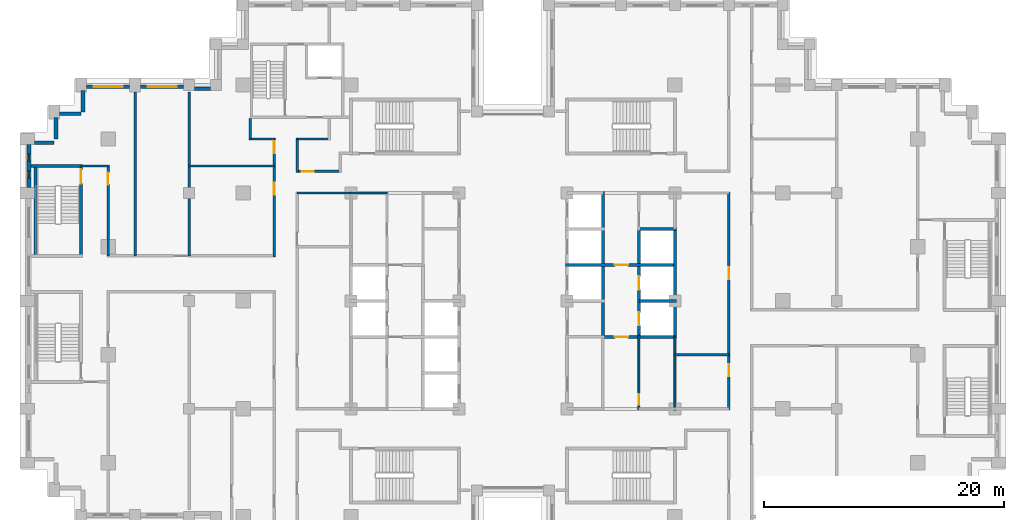
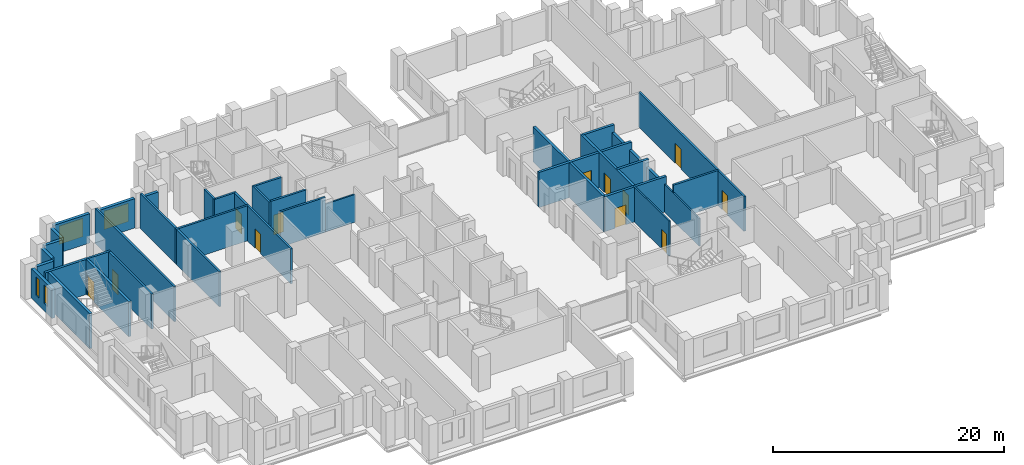
# One storey, part 9 of 15: 35 walls, 12 doors, 4 windows, 16 openings.
"""IFC4 building model written with IfcOpenShell, lengths in metres."""

from ifc_helpers import new_model, si_unit, direction, frame, frame_2d, origin, place, context, subcontext, project, spatial, rectangle, extrude, material, layer, layer_set, type_object, element, fill, save


model = new_model("IFC4")

# Units and contexts
model_context = context("Model", 3, precision=1e-05, world=origin(), true_north=direction((0.0, 1.0)))
body_context = subcontext(model_context, "Body", "Model", "MODEL_VIEW")
ifc_project = project(units=[si_unit("LENGTHUNIT", "METRE"), si_unit("AREAUNIT", "SQUARE_METRE"), si_unit("VOLUMEUNIT", "CUBIC_METRE"), si_unit("PLANEANGLEUNIT", "RADIAN"), si_unit("MASSUNIT", "GRAM", prefix="KILO")], contexts=[model_context])

# Site, building, storey
site_placement = place(None, origin())
site = spatial("IfcSite", under=ifc_project, at=site_placement, CompositionType="ELEMENT")
building_placement = place(site_placement, origin())
building = spatial("IfcBuilding", under=site, at=building_placement, Name="Corbelhall Arena Tower", CompositionType="ELEMENT")
storey_placement = place(building_placement, frame((0.0, 0.0, 100.0)))
storey = spatial("IfcBuildingStorey", under=building, at=storey_placement, Name="L17", CompositionType="ELEMENT", Elevation=100.0)

# Walls
ifc_material_1 = material(Name="Precast concrete C40/50 with granite facing", Category="masonry")
ifc_layer_1 = layer(ifc_material_1, 0.300048828125)
ifc_layer_set_1 = layer_set([ifc_layer_1], Name="EV-IW1 Infill panel 300")
wall_type_1 = type_object("IfcWallType", Name="EV-IW1 Infill panel 300", PredefinedType="SOLIDWALL", material=ifc_layer_set_1)
for number, where, z_axis, x_axis, name in (
    (1, (-35.85009765625, 17.550048828125, 0.0), (0.0, 0.0, 1.0), (0.0, -1.0, 0.0), "Infill panel IW1"),
    (2, (-37.800048828125, 15.60009765625, 0.0), (0.0, 0.0, 1.0), (1.0, 0.0, 0.0), "Infill panel IW1"),
    (3, (-38.10009765625, 15.300048828125, 0.0), (0.0, 0.0, 1.0), (0.0, -1.0, 0.0), "Infill panel IW1"),
):
    element("IfcWall", number, at=place(storey_placement, frame(where, z_axis=z_axis, x_axis=x_axis)), inside=storey, type_object=wall_type_1, Name=name, PredefinedType="SOLIDWALL", context=body_context, shape_type="SweptSolid", body=[
        extrude(rectangle(XDim=1.800048828125, YDim=0.300048828125, at=frame_2d((0.89990234375, 0.0))), origin(), (0.0, 0.0, 1.0), 3.10009765625),
    ])
wall_1_placement = place(storey_placement, frame((-39.89990234375, 13.199951171875, 0.0), z_axis=(0.0, 0.0, 1.0), x_axis=(1.0, 0.0, 0.0)))
element("IfcWall", 4, at=wall_1_placement, inside=storey, type_object=wall_type_1, Name="Infill panel IW1", PredefinedType="SOLIDWALL", context=body_context, shape_type="SweptSolid", body=[
    extrude(rectangle(XDim=1.64990234375, YDim=0.300048828125, at=frame_2d((0.824951171875, 0.0))), origin(), (0.0, 0.0, 1.0), 3.10009765625),
])
wall_2_placement = place(storey_placement, frame((-25.199951171875, 17.699951171875, 0.0), z_axis=(0.0, 0.0, 1.0), x_axis=(-1.0, 0.0, 0.0)))
element("IfcWall", 5, at=wall_2_placement, inside=storey, type_object=wall_type_1, Name="Infill panel IW1", PredefinedType="SOLIDWALL", context=body_context, shape_type="SweptSolid", body=[
    extrude(rectangle(XDim=1.35009765625, YDim=0.300048828125, at=frame_2d((0.675048828125, 0.0))), origin(), (0.0, 0.0, 1.0), 3.10009765625),
])

# Wall, opening, window
wall_3_placement = place(storey_placement, frame((-27.449951171875, 17.85009765625, 0.0), z_axis=(0.0, 0.0, 1.0), x_axis=(-1.0, 0.0, 0.0)))
wall_3 = element("IfcWall", 6, at=wall_3_placement, inside=storey, type_object=wall_type_1, Name="Infill panel IW1", PredefinedType="SOLIDWALL", context=body_context, shape_type="SweptSolid", body=[
    extrude(rectangle(XDim=3.60009765625, YDim=0.300048828125, at=frame_2d((1.800048828125, 0.0))), origin(), (0.0, 0.0, 1.0), 3.10009765625),
])
opening_1_placement = place(wall_3_placement, frame((0.60009765625, 0.0, 0.800048828125)))
opening_1 = element("IfcOpeningElement", 7, at=opening_1_placement, cuts=wall_3, Name="Opening WN1", PredefinedType="OPENING", context=body_context, shape_type="SweptSolid", body=[
    extrude(rectangle(XDim=2.39990234375, YDim=1.949951171875, at=frame_2d((1.199951171875, 0.97509765625))), frame((0.0, 0.14990234375, 0.0), z_axis=(0.0, -1.0, 0.0), x_axis=(1.0, 0.0, 0.0)), (0.0, 0.0, 1.0), 0.300048828125),
])
ifc_material_2 = material(Name="Aluminium black anodised", Category="aluminium")
window_type_1 = type_object("IfcWindowType", Name="EV-WN1 Office window", PartitioningType="SINGLE_PANEL", PredefinedType="WINDOW", material=ifc_material_2)
window_1_placement = place(opening_1_placement, origin())
window_1 = element("IfcWindow", 8, at=window_1_placement, inside=storey, type_object=window_type_1, Name="Window WN1", OverallHeight=1.949951171875, OverallWidth=2.39990234375, PartitioningType="SINGLE_PANEL", PredefinedType="WINDOW", context=body_context, shape_type="SweptSolid", body=[
    extrude(rectangle(XDim=2.39990234375, YDim=1.949951171875, at=frame_2d((1.199951171875, 0.97509765625))), frame((0.0, 0.030029296875, 0.0), z_axis=(0.0, -1.0, 0.0), x_axis=(1.0, 0.0, 0.0)), (0.0, 0.0, 1.0), 0.06005859375),
])
fill(opening_1, window_1)

wall_4_placement = place(storey_placement, frame((-31.949951171875, 17.85009765625, 0.0), z_axis=(0.0, 0.0, 1.0), x_axis=(-1.0, 0.0, 0.0)))
wall_4 = element("IfcWall", 9, at=wall_4_placement, inside=storey, type_object=wall_type_1, Name="Infill panel IW1", PredefinedType="SOLIDWALL", context=body_context, shape_type="SweptSolid", body=[
    extrude(rectangle(XDim=3.60009765625, YDim=0.300048828125, at=frame_2d((1.800048828125, 0.0))), origin(), (0.0, 0.0, 1.0), 3.10009765625),
])
opening_2_placement = place(wall_4_placement, frame((0.60009765625, 0.0, 0.800048828125)))
opening_2 = element("IfcOpeningElement", 10, at=opening_2_placement, cuts=wall_4, Name="Opening WN1", PredefinedType="OPENING", context=body_context, shape_type="SweptSolid", body=[
    extrude(rectangle(XDim=2.39990234375, YDim=1.949951171875, at=frame_2d((1.199951171875, 0.97509765625))), frame((0.0, 0.14990234375, 0.0), z_axis=(0.0, -1.0, 0.0), x_axis=(1.0, 0.0, 0.0)), (0.0, 0.0, 1.0), 0.300048828125),
])
window_2_placement = place(opening_2_placement, origin())
window_2 = element("IfcWindow", 11, at=window_2_placement, inside=storey, type_object=window_type_1, Name="Window WN1", OverallHeight=1.949951171875, OverallWidth=2.39990234375, PartitioningType="SINGLE_PANEL", PredefinedType="WINDOW", context=body_context, shape_type="SweptSolid", body=[
    extrude(rectangle(XDim=2.39990234375, YDim=1.949951171875, at=frame_2d((1.199951171875, 0.97509765625))), frame((0.0, 0.030029296875, 0.0), z_axis=(0.0, -1.0, 0.0), x_axis=(1.0, 0.0, 0.0)), (0.0, 0.0, 1.0), 0.06005859375),
])
fill(opening_2, window_2)

# Wall, openings, windows
wall_5_placement = place(storey_placement, frame((-40.35009765625, 13.050048828125, 0.0), z_axis=(0.0, 0.0, 1.0), x_axis=(0.0, -1.0, 0.0)))
wall_5 = element("IfcWall", 12, at=wall_5_placement, inside=storey, type_object=wall_type_1, Name="Infill panel IW1", PredefinedType="SOLIDWALL", context=body_context, shape_type="SweptSolid", body=[
    extrude(rectangle(XDim=3.60009765625, YDim=0.300048828125, at=frame_2d((1.800048828125, 0.0))), origin(), (0.0, 0.0, 1.0), 3.10009765625),
])
opening_3_placement = place(wall_5_placement, frame((0.78759765625, 0.0, 0.800048828125)))
opening_3 = element("IfcOpeningElement", 13, at=opening_3_placement, cuts=wall_5, Name="Opening WN5", PredefinedType="OPENING", context=body_context, shape_type="SweptSolid", body=[
    extrude(rectangle(XDim=0.60009765625, YDim=1.949951171875, at=frame_2d((0.300048828125, 0.97509765625))), frame((0.0, 0.14990234375, 0.0), z_axis=(0.0, -1.0, 0.0), x_axis=(1.0, 0.0, 0.0)), (0.0, 0.0, 1.0), 0.300048828125),
])
opening_4_placement = place(wall_5_placement, frame((2.21240234375, 0.0, 0.800048828125)))
opening_4 = element("IfcOpeningElement", 14, at=opening_4_placement, cuts=wall_5, Name="Opening WN5", PredefinedType="OPENING", context=body_context, shape_type="SweptSolid", body=[
    extrude(rectangle(XDim=0.60009765625, YDim=1.949951171875, at=frame_2d((0.300048828125, 0.97509765625))), frame((0.0, 0.14990234375, 0.0), z_axis=(0.0, -1.0, 0.0), x_axis=(1.0, 0.0, 0.0)), (0.0, 0.0, 1.0), 0.300048828125),
])
window_type_2 = type_object("IfcWindowType", Name="EV-WN5 Office window 600", PartitioningType="SINGLE_PANEL", PredefinedType="WINDOW", material=ifc_material_2)
window_3_placement = place(opening_3_placement, origin())
window_3 = element("IfcWindow", 15, at=window_3_placement, inside=storey, type_object=window_type_2, Name="Window WN5", OverallHeight=1.949951171875, OverallWidth=0.60009765625, PartitioningType="SINGLE_PANEL", PredefinedType="WINDOW", context=body_context, shape_type="SweptSolid", body=[
    extrude(rectangle(XDim=0.60009765625, YDim=1.949951171875, at=frame_2d((0.300048828125, 0.97509765625))), frame((0.0, 0.030029296875, 0.0), z_axis=(0.0, -1.0, 0.0), x_axis=(1.0, 0.0, 0.0)), (0.0, 0.0, 1.0), 0.06005859375),
])
fill(opening_3, window_3)
window_4_placement = place(opening_4_placement, origin())
window_4 = element("IfcWindow", 16, at=window_4_placement, inside=storey, type_object=window_type_2, Name="Window WN5", OverallHeight=1.949951171875, OverallWidth=0.60009765625, PartitioningType="SINGLE_PANEL", PredefinedType="WINDOW", context=body_context, shape_type="SweptSolid", body=[
    extrude(rectangle(XDim=0.60009765625, YDim=1.949951171875, at=frame_2d((0.300048828125, 0.97509765625))), frame((0.0, 0.030029296875, 0.0), z_axis=(0.0, -1.0, 0.0), x_axis=(1.0, 0.0, 0.0)), (0.0, 0.0, 1.0), 0.06005859375),
])
fill(opening_4, window_4)

# Wall
ifc_material_3 = material(Name="Gypsum board on steel stud, acoustic", Category="steel")
ifc_layer_2 = layer(ifc_material_3, 0.199951171875)
ifc_layer_set_2 = layer_set([ifc_layer_2], Name="IN-W-DM200")
wall_type_2 = type_object("IfcWallType", Name="IN-W-DM200", PredefinedType="PARTITIONING", material=ifc_layer_set_2)
wall_6_placement = place(storey_placement, frame((-36.0, 11.25, 0.0), z_axis=(0.0, 0.0, 1.0), x_axis=(1.0, 0.0, 0.0)))
element("IfcWall", 17, at=wall_6_placement, inside=storey, type_object=wall_type_2, Name="Partition 001", PredefinedType="PARTITIONING", context=body_context, shape_type="SweptSolid", body=[
    extrude(rectangle(XDim=2.35009765625, YDim=0.199951171875, at=frame_2d((1.175048828125, 0.0))), origin(), (0.0, 0.0, 1.0), 3.699951171875),
])

# Wall, opening, door
wall_7_placement = place(storey_placement, frame((-33.75, 11.25, 0.0), z_axis=(0.0, 0.0, 1.0), x_axis=(0.0, -1.0, 0.0)))
wall_7 = element("IfcWall", 18, at=wall_7_placement, inside=storey, type_object=wall_type_2, Name="Partition 004", PredefinedType="PARTITIONING", context=body_context, shape_type="SweptSolid", body=[
    extrude(rectangle(XDim=7.5, YDim=0.199951171875, at=frame_2d((3.75, 0.0))), origin(), (0.0, 0.0, 1.0), 3.699951171875),
])
opening_5_placement = place(wall_7_placement, frame((0.550048828125, 0.0, 0.0)))
opening_5 = element("IfcOpeningElement", 19, at=opening_5_placement, cuts=wall_7, Name="Opening 03041", PredefinedType="OPENING", context=body_context, shape_type="SweptSolid", body=[
    extrude(rectangle(XDim=1.0, YDim=2.10009765625, at=frame_2d((0.5, 1.050048828125))), frame((0.0, 0.10009765625, 0.0), z_axis=(0.0, -1.0, 0.0), x_axis=(1.0, 0.0, 0.0)), (0.0, 0.0, 1.0), 0.199951171875),
])
ifc_material_4 = material(Name="Steel door set", Category="steel")
door_type_1 = type_object("IfcDoorType", Name="IN-D-SW100", OperationType="NOTDEFINED", PredefinedType="DOOR", material=ifc_material_4)
door_1_placement = place(opening_5_placement, origin())
door_1 = element("IfcDoor", 20, at=door_1_placement, inside=storey, type_object=door_type_1, Name="Door 041", OperationType="SINGLE_SWING_RIGHT", OverallHeight=2.10009765625, OverallWidth=1.0, PredefinedType="DOOR", context=body_context, shape_type="SweptSolid", body=[
    extrude(rectangle(XDim=1.0, YDim=2.10009765625, at=frame_2d((0.5, 1.050048828125))), frame((0.0, 0.02490234375, 0.0), z_axis=(0.0, -1.0, 0.0), x_axis=(1.0, 0.0, 0.0)), (0.0, 0.0, 1.0), 0.050048828125),
])
fill(opening_5, door_1)

# Walls
wall_8_placement = place(storey_placement, frame((-31.5, 17.39990234375, 0.0), z_axis=(0.0, 0.0, 1.0), x_axis=(0.0, -1.0, 0.0)))
element("IfcWall", 21, at=wall_8_placement, inside=storey, type_object=wall_type_2, Name="Partition 006", PredefinedType="PARTITIONING", context=body_context, shape_type="SweptSolid", body=[
    extrude(rectangle(XDim=13.64990234375, YDim=0.199951171875, at=frame_2d((6.824951171875, 0.0))), origin(), (0.0, 0.0, 1.0), 3.699951171875),
])
wall_9_placement = place(storey_placement, frame((-27.10009765625, 11.25, 0.0), z_axis=(0.0, 0.0, 1.0), x_axis=(1.0, 0.0, 0.0)))
element("IfcWall", 22, at=wall_9_placement, inside=storey, type_object=wall_type_2, Name="Partition 008", PredefinedType="PARTITIONING", context=body_context, shape_type="SweptSolid", body=[
    extrude(rectangle(XDim=7.2001953125, YDim=0.199951171875, at=frame_2d((3.60009765625, 0.0))), origin(), (0.0, 0.0, 1.0), 3.699951171875),
])
wall_10_placement = place(storey_placement, frame((-27.0, 3.75, 0.0), z_axis=(0.0, 0.0, 1.0), x_axis=(0.0, 1.0, 0.0)))
element("IfcWall", 23, at=wall_10_placement, inside=storey, type_object=wall_type_2, Name="Partition 010", PredefinedType="PARTITIONING", context=body_context, shape_type="SweptSolid", body=[
    extrude(rectangle(XDim=13.64990234375, YDim=0.199951171875, at=frame_2d((6.824951171875, 0.0))), origin(), (0.0, 0.0, 1.0), 3.699951171875),
])
wall_11_placement = place(storey_placement, frame((-21.89990234375, 13.5, 0.0), z_axis=(0.0, 0.0, 1.0), x_axis=(0.0, 1.0, 0.0)))
element("IfcWall", 24, at=wall_11_placement, inside=storey, type_object=wall_type_2, Name="Partition 013", PredefinedType="PARTITIONING", context=body_context, shape_type="SweptSolid", body=[
    extrude(rectangle(XDim=1.699951171875, YDim=0.199951171875, at=frame_2d((0.85009765625, 0.0))), origin(), (0.0, 0.0, 1.0), 3.699951171875),
])

# Wall, openings, doors
wall_12_placement = place(storey_placement, frame((-19.89990234375, 3.64990234375, 0.0), z_axis=(0.0, 0.0, 1.0), x_axis=(0.0, 1.0, 0.0)))
wall_12 = element("IfcWall", 25, at=wall_12_placement, inside=storey, type_object=wall_type_2, Name="Partition 015", PredefinedType="PARTITIONING", context=body_context, shape_type="SweptSolid", body=[
    extrude(rectangle(XDim=9.9501953125, YDim=0.199951171875, at=frame_2d((4.97509765625, 0.0))), origin(), (0.0, 0.0, 1.0), 3.699951171875),
])
opening_6_placement = place(wall_12_placement, frame((5.199951171875, 0.0, 0.0)))
opening_6 = element("IfcOpeningElement", 26, at=opening_6_placement, cuts=wall_12, Name="Opening 03029", PredefinedType="OPENING", context=body_context, shape_type="SweptSolid", body=[
    extrude(rectangle(XDim=1.0, YDim=2.10009765625, at=frame_2d((0.5, 1.050048828125))), frame((0.0, 0.10009765625, 0.0), z_axis=(0.0, -1.0, 0.0), x_axis=(1.0, 0.0, 0.0)), (0.0, 0.0, 1.0), 0.199951171875),
])
opening_7_placement = place(wall_12_placement, frame((8.64990234375, 0.0, 0.0)))
opening_7 = element("IfcOpeningElement", 27, at=opening_7_placement, cuts=wall_12, Name="Opening 03030", PredefinedType="OPENING", context=body_context, shape_type="SweptSolid", body=[
    extrude(rectangle(XDim=1.0, YDim=2.10009765625, at=frame_2d((0.5, 1.050048828125))), frame((0.0, 0.10009765625, 0.0), z_axis=(0.0, -1.0, 0.0), x_axis=(1.0, 0.0, 0.0)), (0.0, 0.0, 1.0), 0.199951171875),
])
door_2_placement = place(opening_6_placement, origin())
door_2 = element("IfcDoor", 28, at=door_2_placement, inside=storey, type_object=door_type_1, Name="Door 029", OperationType="SINGLE_SWING_RIGHT", OverallHeight=2.10009765625, OverallWidth=1.0, PredefinedType="DOOR", context=body_context, shape_type="SweptSolid", body=[
    extrude(rectangle(XDim=1.0, YDim=2.10009765625, at=frame_2d((0.5, 1.050048828125))), frame((0.0, 0.02490234375, 0.0), z_axis=(0.0, -1.0, 0.0), x_axis=(1.0, 0.0, 0.0)), (0.0, 0.0, 1.0), 0.050048828125),
])
fill(opening_6, door_2)
door_3_placement = place(opening_7_placement, origin())
door_3 = element("IfcDoor", 29, at=door_3_placement, inside=storey, type_object=door_type_1, Name="Door 030", OperationType="SINGLE_SWING_LEFT", OverallHeight=2.10009765625, OverallWidth=1.0, PredefinedType="DOOR", context=body_context, shape_type="SweptSolid", body=[
    extrude(rectangle(XDim=1.0, YDim=2.10009765625, at=frame_2d((0.5, 1.050048828125))), frame((0.0, 0.02490234375, 0.0), z_axis=(0.0, -1.0, 0.0), x_axis=(1.0, 0.0, 0.0)), (0.0, 0.0, 1.0), 0.050048828125),
])
fill(opening_7, door_3)

# Wall
wall_13_placement = place(storey_placement, frame((-19.89990234375, 13.5, 0.0), z_axis=(0.0, 0.0, 1.0), x_axis=(-1.0, 0.0, 0.0)))
element("IfcWall", 30, at=wall_13_placement, inside=storey, type_object=wall_type_2, Name="Partition 016", PredefinedType="PARTITIONING", context=body_context, shape_type="SweptSolid", body=[
    extrude(rectangle(XDim=2.10009765625, YDim=0.199951171875, at=frame_2d((1.050048828125, 0.0))), origin(), (0.0, 0.0, 1.0), 3.699951171875),
])

# Wall, opening, door
wall_14_placement = place(storey_placement, frame((-18.0, 10.800048828125, 0.0), z_axis=(0.0, 0.0, 1.0), x_axis=(1.0, 0.0, 0.0)))
wall_14 = element("IfcWall", 31, at=wall_14_placement, inside=storey, type_object=wall_type_2, Name="Partition 021", PredefinedType="PARTITIONING", context=body_context, shape_type="SweptSolid", body=[
    extrude(rectangle(XDim=3.60009765625, YDim=0.199951171875, at=frame_2d((1.800048828125, 0.0))), origin(), (0.0, 0.0, 1.0), 3.699951171875),
])
opening_8_placement = place(wall_14_placement, frame((0.39990234375, 0.0, 0.0)))
opening_8 = element("IfcOpeningElement", 32, at=opening_8_placement, cuts=wall_14, Name="Opening 03025", PredefinedType="OPENING", context=body_context, shape_type="SweptSolid", body=[
    extrude(rectangle(XDim=1.0, YDim=2.10009765625, at=frame_2d((0.5, 1.050048828125))), frame((0.0, 0.10009765625, 0.0), z_axis=(0.0, -1.0, 0.0), x_axis=(1.0, 0.0, 0.0)), (0.0, 0.0, 1.0), 0.199951171875),
])
door_4_placement = place(opening_8_placement, origin())
door_4 = element("IfcDoor", 33, at=door_4_placement, inside=storey, type_object=door_type_1, Name="Door 025", OperationType="SINGLE_SWING_RIGHT", OverallHeight=2.10009765625, OverallWidth=1.0, PredefinedType="DOOR", context=body_context, shape_type="SweptSolid", body=[
    extrude(rectangle(XDim=1.0, YDim=2.10009765625, at=frame_2d((0.5, 1.050048828125))), frame((0.0, 0.02490234375, 0.0), z_axis=(0.0, -1.0, 0.0), x_axis=(1.0, 0.0, 0.0)), (0.0, 0.0, 1.0), 0.050048828125),
])
fill(opening_8, door_4)

# Walls
wall_15_placement = place(storey_placement, frame((-18.0, 13.60009765625, 0.0), z_axis=(0.0, 0.0, 1.0), x_axis=(0.0, -1.0, 0.0)))
element("IfcWall", 34, at=wall_15_placement, inside=storey, type_object=wall_type_2, Name="Partition 022", PredefinedType="PARTITIONING", context=body_context, shape_type="SweptSolid", body=[
    extrude(rectangle(XDim=2.900146484375, YDim=0.199951171875, at=frame_2d((1.4501953125, 0.0))), origin(), (0.0, 0.0, 1.0), 3.699951171875),
])
wall_16_placement = place(storey_placement, frame((-15.300048828125, 13.5, 0.0), z_axis=(0.0, 0.0, 1.0), x_axis=(-1.0, 0.0, 0.0)))
element("IfcWall", 35, at=wall_16_placement, inside=storey, type_object=wall_type_2, Name="Partition 023", PredefinedType="PARTITIONING", context=body_context, shape_type="SweptSolid", body=[
    extrude(rectangle(XDim=2.699951171875, YDim=0.199951171875, at=frame_2d((1.35009765625, 0.0))), origin(), (0.0, 0.0, 1.0), 3.699951171875),
])
for number, where, z_axis, x_axis, name in (
    (36, (-13.5, 9.0, 0.0), (0.0, 0.0, 1.0), (-1.0, 0.0, 0.0), "Partition 029"),
    (37, (13.5, -4.5, 0.0), (0.0, 0.0, 1.0), (1.0, 0.0, 0.0), "Partition 038"),
):
    element("IfcWall", number, at=place(storey_placement, frame(where, z_axis=z_axis, x_axis=x_axis)), inside=storey, type_object=wall_type_2, Name=name, PredefinedType="PARTITIONING", context=body_context, shape_type="SweptSolid", body=[
        extrude(rectangle(XDim=4.5, YDim=0.199951171875, at=frame_2d((2.25, 0.0))), origin(), (0.0, 0.0, 1.0), 3.699951171875),
    ])

# Wall, openings, doors
wall_17_placement = place(storey_placement, frame((18.0, -9.10009765625, 0.0), z_axis=(0.0, 0.0, 1.0), x_axis=(0.0, 1.0, 0.0)))
wall_17 = element("IfcWall", 38, at=wall_17_placement, inside=storey, type_object=wall_type_2, Name="Partition 046", PredefinedType="PARTITIONING", context=body_context, shape_type="SweptSolid", body=[
    extrude(rectangle(XDim=18.2001953125, YDim=0.199951171875, at=frame_2d((9.10009765625, 0.0))), origin(), (0.0, 0.0, 1.0), 3.699951171875),
])
opening_9_placement = place(wall_17_placement, frame((2.800048828125, 0.0, 0.0)))
opening_9 = element("IfcOpeningElement", 39, at=opening_9_placement, cuts=wall_17, Name="Opening 03023", PredefinedType="OPENING", context=body_context, shape_type="SweptSolid", body=[
    extrude(rectangle(XDim=1.0, YDim=2.10009765625, at=frame_2d((0.5, 1.050048828125))), frame((0.0, 0.10009765625, 0.0), z_axis=(0.0, -1.0, 0.0), x_axis=(1.0, 0.0, 0.0)), (0.0, 0.0, 1.0), 0.199951171875),
])
opening_10_placement = place(wall_17_placement, frame((10.89990234375, 0.0, 0.0)))
opening_10 = element("IfcOpeningElement", 40, at=opening_10_placement, cuts=wall_17, Name="Opening 03024", PredefinedType="OPENING", context=body_context, shape_type="SweptSolid", body=[
    extrude(rectangle(XDim=1.0, YDim=2.10009765625, at=frame_2d((0.5, 1.050048828125))), frame((0.0, 0.10009765625, 0.0), z_axis=(0.0, -1.0, 0.0), x_axis=(1.0, 0.0, 0.0)), (0.0, 0.0, 1.0), 0.199951171875),
])
door_5_placement = place(opening_9_placement, origin())
door_5 = element("IfcDoor", 41, at=door_5_placement, inside=storey, type_object=door_type_1, Name="Door 023", OperationType="SINGLE_SWING_RIGHT", OverallHeight=2.10009765625, OverallWidth=1.0, PredefinedType="DOOR", context=body_context, shape_type="SweptSolid", body=[
    extrude(rectangle(XDim=1.0, YDim=2.10009765625, at=frame_2d((0.5, 1.050048828125))), frame((0.0, 0.02490234375, 0.0), z_axis=(0.0, -1.0, 0.0), x_axis=(1.0, 0.0, 0.0)), (0.0, 0.0, 1.0), 0.050048828125),
])
fill(opening_9, door_5)
door_6_placement = place(opening_10_placement, origin())
door_6 = element("IfcDoor", 42, at=door_6_placement, inside=storey, type_object=door_type_1, Name="Door 024", OperationType="SINGLE_SWING_LEFT", OverallHeight=2.10009765625, OverallWidth=1.0, PredefinedType="DOOR", context=body_context, shape_type="SweptSolid", body=[
    extrude(rectangle(XDim=1.0, YDim=2.10009765625, at=frame_2d((0.5, 1.050048828125))), frame((0.0, 0.02490234375, 0.0), z_axis=(0.0, -1.0, 0.0), x_axis=(1.0, 0.0, 0.0)), (0.0, 0.0, 1.0), 0.050048828125),
])
fill(opening_10, door_6)

# Wall, opening, door
ifc_material_5 = material(Name="Concrete C40/50", Category="concrete")
ifc_layer_3 = layer(ifc_material_5, 0.25)
ifc_layer_set_3 = layer_set([ifc_layer_3], Name="IN-W-SH250")
wall_type_3 = type_object("IfcWallType", Name="IN-W-SH250", PredefinedType="SOLIDWALL", material=ifc_layer_set_3)
wall_18_placement = place(storey_placement, frame((4.375, 3.0, 0.0), z_axis=(0.0, 0.0, 1.0), x_axis=(1.0, 0.0, 0.0)))
wall_18 = element("IfcWall", 43, at=wall_18_placement, inside=storey, type_object=wall_type_3, Name="Shaft wall 085", PredefinedType="SOLIDWALL", context=body_context, shape_type="SweptSolid", body=[
    extrude(rectangle(XDim=9.25, YDim=0.25, at=frame_2d((4.625, 0.0))), origin(), (0.0, 0.0, 1.0), 3.699951171875),
])
opening_11_placement = place(wall_18_placement, frame((4.125, 0.0, 0.0)))
opening_11 = element("IfcOpeningElement", 44, at=opening_11_placement, cuts=wall_18, Name="Opening 03010", PredefinedType="OPENING", context=body_context, shape_type="SweptSolid", body=[
    extrude(rectangle(XDim=1.10009765625, YDim=2.10009765625, at=frame_2d((0.550048828125, 1.050048828125))), frame((0.0, 0.125, 0.0), z_axis=(0.0, -1.0, 0.0), x_axis=(1.0, 0.0, 0.0)), (0.0, 0.0, 1.0), 0.25),
])
door_type_2 = type_object("IfcDoorType", Name="IN-D-FD110", OperationType="NOTDEFINED", PredefinedType="DOOR", material=ifc_material_4)
door_7_placement = place(opening_11_placement, origin())
door_7 = element("IfcDoor", 45, at=door_7_placement, inside=storey, type_object=door_type_2, Name="Door 010", OperationType="SINGLE_SWING_LEFT", OverallHeight=2.10009765625, OverallWidth=1.10009765625, PredefinedType="DOOR", context=body_context, shape_type="SweptSolid", body=[
    extrude(rectangle(XDim=1.10009765625, YDim=2.10009765625, at=frame_2d((0.550048828125, 1.050048828125))), frame((0.0, 0.02490234375, 0.0), z_axis=(0.0, -1.0, 0.0), x_axis=(1.0, 0.0, 0.0)), (0.0, 0.0, 1.0), 0.050048828125),
])
fill(opening_11, door_7)

wall_19_placement = place(storey_placement, frame((7.5, -3.0, 0.0), z_axis=(0.0, 0.0, 1.0), x_axis=(1.0, 0.0, 0.0)))
wall_19 = element("IfcWall", 46, at=wall_19_placement, inside=storey, type_object=wall_type_3, Name="Shaft wall 089", PredefinedType="SOLIDWALL", context=body_context, shape_type="SweptSolid", body=[
    extrude(rectangle(XDim=6.125, YDim=0.25, at=frame_2d((3.0625, 0.0))), origin(), (0.0, 0.0, 1.0), 3.699951171875),
])
opening_12_placement = place(wall_19_placement, frame((1.0, 0.0, 0.0)))
opening_12 = element("IfcOpeningElement", 47, at=opening_12_placement, cuts=wall_19, Name="Opening 03009", PredefinedType="OPENING", context=body_context, shape_type="SweptSolid", body=[
    extrude(rectangle(XDim=1.10009765625, YDim=2.10009765625, at=frame_2d((0.550048828125, 1.050048828125))), frame((0.0, 0.125, 0.0), z_axis=(0.0, -1.0, 0.0), x_axis=(1.0, 0.0, 0.0)), (0.0, 0.0, 1.0), 0.25),
])
door_8_placement = place(opening_12_placement, origin())
door_8 = element("IfcDoor", 48, at=door_8_placement, inside=storey, type_object=door_type_2, Name="Door 009", OperationType="SINGLE_SWING_RIGHT", OverallHeight=2.10009765625, OverallWidth=1.10009765625, PredefinedType="DOOR", context=body_context, shape_type="SweptSolid", body=[
    extrude(rectangle(XDim=1.10009765625, YDim=2.10009765625, at=frame_2d((0.550048828125, 1.050048828125))), frame((0.0, 0.02490234375, 0.0), z_axis=(0.0, -1.0, 0.0), x_axis=(1.0, 0.0, 0.0)), (0.0, 0.0, 1.0), 0.050048828125),
])
fill(opening_12, door_8)

# Walls
wall_20_placement = place(storey_placement, frame((7.5, 9.125, 0.0), z_axis=(0.0, 0.0, 1.0), x_axis=(0.0, -1.0, 0.0)))
element("IfcWall", 49, at=wall_20_placement, inside=storey, type_object=wall_type_3, Name="Shaft wall 090", PredefinedType="SOLIDWALL", context=body_context, shape_type="SweptSolid", body=[
    extrude(rectangle(XDim=12.25, YDim=0.25, at=frame_2d((6.125, 0.0))), origin(), (0.0, 0.0, 1.0), 3.699951171875),
])
wall_21_placement = place(storey_placement, frame((10.5, 0.0, 0.0), z_axis=(0.0, 0.0, 1.0), x_axis=(1.0, 0.0, 0.0)))
element("IfcWall", 50, at=wall_21_placement, inside=storey, type_object=wall_type_3, Name="Shaft wall 091", PredefinedType="SOLIDWALL", context=body_context, shape_type="SweptSolid", body=[
    extrude(rectangle(XDim=3.125, YDim=0.25, at=frame_2d((1.5625, 0.0))), origin(), (0.0, 0.0, 1.0), 3.699951171875),
])

# Wall, openings, doors
wall_22_placement = place(storey_placement, frame((10.5, 6.125, 0.0), z_axis=(0.0, 0.0, 1.0), x_axis=(0.0, -1.0, 0.0)))
wall_22 = element("IfcWall", 51, at=wall_22_placement, inside=storey, type_object=wall_type_3, Name="Shaft wall 092", PredefinedType="SOLIDWALL", context=body_context, shape_type="SweptSolid", body=[
    extrude(rectangle(XDim=9.25, YDim=0.25, at=frame_2d((4.625, 0.0))), origin(), (0.0, 0.0, 1.0), 3.699951171875),
])
opening_13_placement = place(wall_22_placement, frame((7.074951171875, 0.0, 0.0)))
opening_13 = element("IfcOpeningElement", 52, at=opening_13_placement, cuts=wall_22, Name="Opening LD", PredefinedType="OPENING", context=body_context, shape_type="SweptSolid", body=[
    extrude(rectangle(XDim=1.10009765625, YDim=2.10009765625, at=frame_2d((0.550048828125, 1.050048828125))), frame((0.0, 0.125, 0.0), z_axis=(0.0, -1.0, 0.0), x_axis=(1.0, 0.0, 0.0)), (0.0, 0.0, 1.0), 0.25),
])
opening_14_placement = place(wall_22_placement, frame((4.074951171875, 0.0, 0.0)))
opening_14 = element("IfcOpeningElement", 53, at=opening_14_placement, cuts=wall_22, Name="Opening LD", PredefinedType="OPENING", context=body_context, shape_type="SweptSolid", body=[
    extrude(rectangle(XDim=1.10009765625, YDim=2.10009765625, at=frame_2d((0.550048828125, 1.050048828125))), frame((0.0, 0.125, 0.0), z_axis=(0.0, -1.0, 0.0), x_axis=(1.0, 0.0, 0.0)), (0.0, 0.0, 1.0), 0.25),
])
door_type_3 = type_object("IfcDoorType", Name="IN-D-LD110", OperationType="NOTDEFINED", PredefinedType="DOOR", material=ifc_material_4)
door_9_placement = place(opening_13_placement, origin())
door_9 = element("IfcDoor", 54, at=door_9_placement, inside=storey, type_object=door_type_3, Name="Landing door E3", OperationType="SLIDING_TO_LEFT", OverallHeight=2.10009765625, OverallWidth=1.10009765625, PredefinedType="DOOR", context=body_context, shape_type="SweptSolid", body=[
    extrude(rectangle(XDim=1.10009765625, YDim=2.10009765625, at=frame_2d((0.550048828125, 1.050048828125))), frame((0.0, 0.02490234375, 0.0), z_axis=(0.0, -1.0, 0.0), x_axis=(1.0, 0.0, 0.0)), (0.0, 0.0, 1.0), 0.050048828125),
])
fill(opening_13, door_9)
door_10_placement = place(opening_14_placement, origin())
door_10 = element("IfcDoor", 55, at=door_10_placement, inside=storey, type_object=door_type_3, Name="Landing door E4", OperationType="SLIDING_TO_LEFT", OverallHeight=2.10009765625, OverallWidth=1.10009765625, PredefinedType="DOOR", context=body_context, shape_type="SweptSolid", body=[
    extrude(rectangle(XDim=1.10009765625, YDim=2.10009765625, at=frame_2d((0.550048828125, 1.050048828125))), frame((0.0, 0.02490234375, 0.0), z_axis=(0.0, -1.0, 0.0), x_axis=(1.0, 0.0, 0.0)), (0.0, 0.0, 1.0), 0.050048828125),
])
fill(opening_14, door_10)

# Walls
wall_23_placement = place(storey_placement, frame((10.5, 6.0, 0.0), z_axis=(0.0, 0.0, 1.0), x_axis=(1.0, 0.0, 0.0)))
element("IfcWall", 56, at=wall_23_placement, inside=storey, type_object=wall_type_3, Name="Shaft wall 093", PredefinedType="SOLIDWALL", context=body_context, shape_type="SweptSolid", body=[
    extrude(rectangle(XDim=3.125, YDim=0.25, at=frame_2d((1.5625, 0.0))), origin(), (0.0, 0.0, 1.0), 3.699951171875),
])
ifc_layer_4 = layer(ifc_material_5, 0.25)
ifc_layer_set_4 = layer_set([ifc_layer_4], Name="IN-W-SH250 under beam 762 mm")
wall_type_4 = type_object("IfcWallType", Name="IN-W-SH250 under beam 762 mm", PredefinedType="SOLIDWALL", material=ifc_layer_set_4)
wall_24_placement = place(storey_placement, frame((13.5, 6.0, 0.0), z_axis=(0.0, 0.0, 1.0), x_axis=(0.0, -1.0, 0.0)))
element("IfcWall", 57, at=wall_24_placement, inside=storey, type_object=wall_type_4, Name="Shaft wall 094", PredefinedType="SOLIDWALL", context=body_context, shape_type="SweptSolid", body=[
    extrude(rectangle(XDim=9.0, YDim=0.25, at=frame_2d((4.5, 0.0))), origin(), (0.0, 0.0, 1.0), 2.93798828125),
])
ifc_layer_5 = layer(ifc_material_5, 0.25)
ifc_layer_set_5 = layer_set([ifc_layer_5], Name="IN-W-ST250")
wall_type_5 = type_object("IfcWallType", Name="IN-W-ST250", PredefinedType="SOLIDWALL", material=ifc_layer_set_5)
wall_25_placement = place(storey_placement, frame((-40.199951171875, 11.25, 0.0), z_axis=(0.0, 0.0, 1.0), x_axis=(1.0, 0.0, 0.0)))
element("IfcWall", 58, at=wall_25_placement, inside=storey, type_object=wall_type_5, Name="Shaft wall 096", PredefinedType="SOLIDWALL", context=body_context, shape_type="SweptSolid", body=[
    extrude(rectangle(XDim=4.199951171875, YDim=0.25, at=frame_2d((2.10009765625, 0.0))), origin(), (0.0, 0.0, 1.0), 3.699951171875),
])

# Wall, opening, door
wall_26_placement = place(storey_placement, frame((-36.0, 11.375, 0.0), z_axis=(0.0, 0.0, 1.0), x_axis=(0.0, -1.0, 0.0)))
wall_26 = element("IfcWall", 59, at=wall_26_placement, inside=storey, type_object=wall_type_5, Name="Shaft wall 099", PredefinedType="SOLIDWALL", context=body_context, shape_type="SweptSolid", body=[
    extrude(rectangle(XDim=7.625, YDim=0.25, at=frame_2d((3.8125, 0.0))), origin(), (0.0, 0.0, 1.0), 3.699951171875),
])
opening_15_placement = place(wall_26_placement, frame((0.39990234375, 0.0, 0.0)))
opening_15 = element("IfcOpeningElement", 60, at=opening_15_placement, cuts=wall_26, Name="Opening 03017", PredefinedType="OPENING", context=body_context, shape_type="SweptSolid", body=[
    extrude(rectangle(XDim=1.199951171875, YDim=2.10009765625, at=frame_2d((0.60009765625, 1.050048828125))), frame((0.0, 0.125, 0.0), z_axis=(0.0, -1.0, 0.0), x_axis=(1.0, 0.0, 0.0)), (0.0, 0.0, 1.0), 0.25),
])
door_type_4 = type_object("IfcDoorType", Name="IN-D-ST120", OperationType="NOTDEFINED", PredefinedType="DOOR", material=ifc_material_4)
door_11_placement = place(opening_15_placement, origin())
door_11 = element("IfcDoor", 61, at=door_11_placement, inside=storey, type_object=door_type_4, Name="Door 017", OperationType="SINGLE_SWING_RIGHT", OverallHeight=2.10009765625, OverallWidth=1.199951171875, PredefinedType="DOOR", context=body_context, shape_type="SweptSolid", body=[
    extrude(rectangle(XDim=1.199951171875, YDim=2.10009765625, at=frame_2d((0.60009765625, 1.050048828125))), frame((0.0, 0.02490234375, 0.0), z_axis=(0.0, -1.0, 0.0), x_axis=(1.0, 0.0, 0.0)), (0.0, 0.0, 1.0), 0.050048828125),
])
fill(opening_15, door_11)

# Wall
wall_27_placement = place(storey_placement, frame((-39.824951171875, 3.875, 0.0), z_axis=(0.0, 0.0, 1.0), x_axis=(0.0, 1.0, 0.0)))
element("IfcWall", 62, at=wall_27_placement, inside=storey, type_object=wall_type_5, Name="Shaft wall SC1 facade side", PredefinedType="SOLIDWALL", context=body_context, shape_type="SweptSolid", body=[
    extrude(rectangle(XDim=7.25, YDim=0.25, at=frame_2d((3.625, 0.0))), origin(), (0.0, 0.0, 1.0), 3.699951171875),
])

# Wall, opening, door
ifc_material_6 = material(Name="Gypsum board on steel stud, moisture resistant", Category="steel")
ifc_layer_6 = layer(ifc_material_6, 0.14990234375)
ifc_layer_set_6 = layer_set([ifc_layer_6], Name="IN-W-WC150")
wall_type_6 = type_object("IfcWallType", Name="IN-W-WC150", PredefinedType="PARTITIONING", material=ifc_layer_set_6)
wall_28_placement = place(storey_placement, frame((10.5, -2.875, 0.0), z_axis=(0.0, 0.0, 1.0), x_axis=(0.0, -1.0, 0.0)))
wall_28 = element("IfcWall", 63, at=wall_28_placement, inside=storey, type_object=wall_type_6, Name="Partition 129", PredefinedType="PARTITIONING", context=body_context, shape_type="SweptSolid", body=[
    extrude(rectangle(XDim=6.199951171875, YDim=0.14990234375, at=frame_2d((3.10009765625, 0.0))), origin(), (0.0, 0.0, 1.0), 3.699951171875),
])
opening_16_placement = place(wall_28_placement, frame((4.89990234375, 0.0, 0.0)))
opening_16 = element("IfcOpeningElement", 64, at=opening_16_placement, cuts=wall_28, Name="Opening 03011", PredefinedType="OPENING", context=body_context, shape_type="SweptSolid", body=[
    extrude(rectangle(XDim=0.89990234375, YDim=2.10009765625, at=frame_2d((0.449951171875, 1.050048828125))), frame((0.0, 0.074951171875, 0.0), z_axis=(0.0, -1.0, 0.0), x_axis=(1.0, 0.0, 0.0)), (0.0, 0.0, 1.0), 0.14990234375),
])
ifc_material_7 = material(Name="Timber door set", Category="wood")
door_type_5 = type_object("IfcDoorType", Name="IN-D-SW90", OperationType="NOTDEFINED", PredefinedType="DOOR", material=ifc_material_7)
door_12_placement = place(opening_16_placement, origin())
door_12 = element("IfcDoor", 65, at=door_12_placement, inside=storey, type_object=door_type_5, Name="Door 011", OperationType="SINGLE_SWING_RIGHT", OverallHeight=2.10009765625, OverallWidth=0.89990234375, PredefinedType="DOOR", context=body_context, shape_type="SweptSolid", body=[
    extrude(rectangle(XDim=0.89990234375, YDim=2.10009765625, at=frame_2d((0.449951171875, 1.050048828125))), frame((0.0, 0.02490234375, 0.0), z_axis=(0.0, -1.0, 0.0), x_axis=(1.0, 0.0, 0.0)), (0.0, 0.0, 1.0), 0.050048828125),
])
fill(opening_16, door_12)

# Walls
ifc_layer_7 = layer(ifc_material_6, 0.14990234375)
ifc_layer_set_7 = layer_set([ifc_layer_7], Name="IN-W-WC150 under beam 762 mm")
wall_type_7 = type_object("IfcWallType", Name="IN-W-WC150 under beam 762 mm", PredefinedType="PARTITIONING", material=ifc_layer_set_7)
wall_29_placement = place(storey_placement, frame((-13.574951171875, 9.0, 0.0), z_axis=(0.0, 0.0, 1.0), x_axis=(1.0, 0.0, 0.0)))
element("IfcWall", 66, at=wall_29_placement, inside=storey, type_object=wall_type_7, Name="Partition 123", PredefinedType="PARTITIONING", context=body_context, shape_type="SweptSolid", body=[
    extrude(rectangle(XDim=3.074951171875, YDim=0.14990234375, at=frame_2d((1.53759765625, 0.0))), origin(), (0.0, 0.0, 1.0), 2.93798828125),
])
wall_30_placement = place(storey_placement, frame((13.5, -3.0, 0.0), z_axis=(0.0, 0.0, 1.0), x_axis=(0.0, -1.0, 0.0)))
element("IfcWall", 67, at=wall_30_placement, inside=storey, type_object=wall_type_7, Name="Partition 130", PredefinedType="PARTITIONING", context=body_context, shape_type="SweptSolid", body=[
    extrude(rectangle(XDim=6.10009765625, YDim=0.14990234375, at=frame_2d((3.050048828125, 0.0))), origin(), (0.0, 0.0, 1.0), 2.93798828125),
])

save(model, "model.ifc")
